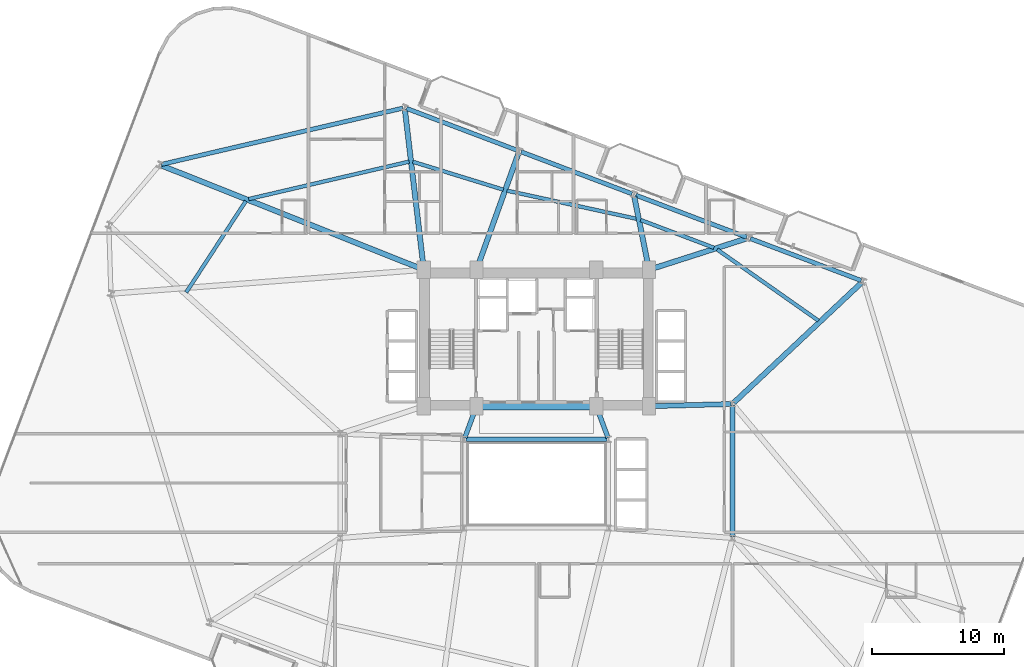
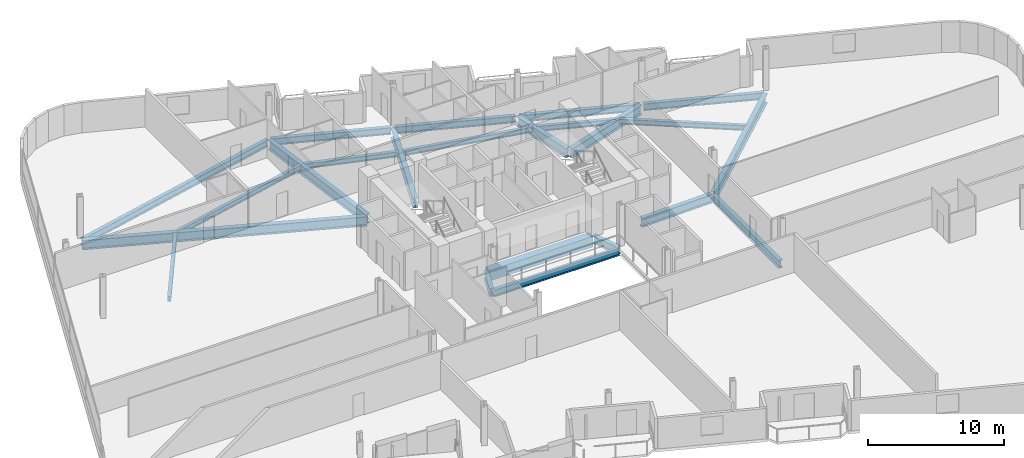
# One storey, part 9 of 25: 23 beams.
"""IFC4 building model written with IfcOpenShell, lengths in metres."""

from ifc_helpers import new_model, si_unit, direction, frame, origin, origin_2d, place, context, subcontext, project, spatial, rectangle, i_section, extrude, material, material_profile, profile_set, type_object, element, save


model = new_model("IFC4")

# Units and contexts
model_context = context("Model", 3, precision=1e-05, world=origin(), true_north=direction((0.0, 1.0)))
body_context = subcontext(model_context, "Body", "Model", "MODEL_VIEW")
ifc_project = project(units=[si_unit("LENGTHUNIT", "METRE"), si_unit("AREAUNIT", "SQUARE_METRE"), si_unit("VOLUMEUNIT", "CUBIC_METRE"), si_unit("PLANEANGLEUNIT", "RADIAN"), si_unit("MASSUNIT", "GRAM", prefix="KILO")], contexts=[model_context])

# Site, building, storey
site_placement = place(None, origin())
site = spatial("IfcSite", under=ifc_project, at=site_placement, CompositionType="ELEMENT")
building_placement = place(site_placement, origin())
building = spatial("IfcBuilding", under=site, at=building_placement, Name="Varnelok Gate Tower", CompositionType="ELEMENT")
storey_placement = place(building_placement, frame((0.0, 0.0, 105.800048828125)))
storey = spatial("IfcBuildingStorey", under=building, at=storey_placement, Name="L26", CompositionType="ELEMENT", Elevation=105.800048828125)

# Beams
ifc_material_1 = material(Name="Structural Steel ASTM A992 Grade 50", Category="steel")
ifc_material_profile_1 = material_profile(ifc_material_1, i_section(OverallWidth=0.280029296875, OverallDepth=0.462890625, WebThickness=0.0107421875, FlangeThickness=0.017333984375, FilletRadius=0.014892578125, at=origin_2d()), Name="W18X76")
ifc_profile_set_1 = profile_set([ifc_material_profile_1], Name="Structural Steel ASTM A992 Grade 50")
beam_type_1 = type_object("IfcBeamType", Name="BM-JST-W18X76", PredefinedType="JOIST", material=ifc_profile_set_1)
beam_1_placement = place(storey_placement, frame((60.490966796875, 35.207275390625, -0.4814453125), z_axis=(-0.818022629428, 0.575186037507, 0.0), x_axis=(-0.575186037507, -0.818022629428, 0.0)))
element("IfcBeam", 1, at=beam_1_placement, inside=storey, type_object=beam_type_1, Name="L26 Sector Floor Joist 7", PredefinedType="JOIST", context=body_context, shape_type="SweptSolid", body=[
    extrude(i_section(OverallWidth=0.280029296875, OverallDepth=0.462890625, WebThickness=0.0107421875, FlangeThickness=0.017333984375, FilletRadius=0.014892578125, at=origin_2d()), origin(), (0.0, 0.0, 1.0), 9.346923828125),
])
beam_2_placement = place(storey_placement, frame((52.599609375, 40.71337890625, -0.4814453125), z_axis=(-0.93521906908, 0.354069615795, 0.0), x_axis=(-0.354069615795, -0.93521906908, 0.0)))
element("IfcBeam", 2, at=beam_2_placement, inside=storey, type_object=beam_type_1, Name="L26 Sector Floor Joist 8", PredefinedType="JOIST", context=body_context, shape_type="SweptSolid", body=[
    extrude(i_section(OverallWidth=0.280029296875, OverallDepth=0.462890625, WebThickness=0.0107421875, FlangeThickness=0.017333984375, FilletRadius=0.014892578125, at=origin_2d()), origin(), (0.0, 0.0, 1.0), 5.91748046875),
])
beam_3_placement = place(storey_placement, frame((46.797607421875, 42.887939453125, -0.4814453125), z_axis=(-0.977172636002, 0.212446792044, 0.0), x_axis=(-0.212446792044, -0.977172636002, 0.0)))
element("IfcBeam", 3, at=beam_3_placement, inside=storey, type_object=beam_type_1, Name="L26 Sector Floor Joist 9", PredefinedType="JOIST", context=body_context, shape_type="SweptSolid", body=[
    extrude(i_section(OverallWidth=0.280029296875, OverallDepth=0.462890625, WebThickness=0.0107421875, FlangeThickness=0.017333984375, FilletRadius=0.014892578125, at=origin_2d()), origin(), (0.0, 0.0, 1.0), 10.048583984375),
])
beam_4_placement = place(storey_placement, frame((36.7080078125, 45.09375, -0.4814453125), z_axis=(-0.955517656655, 0.294933904156, 0.0), x_axis=(-0.294933904156, -0.955517656655, 0.0)))
element("IfcBeam", 4, at=beam_4_placement, inside=storey, type_object=beam_type_1, Name="L26 Sector Floor Joist 10", PredefinedType="JOIST", context=body_context, shape_type="SweptSolid", body=[
    extrude(i_section(OverallWidth=0.280029296875, OverallDepth=0.462890625, WebThickness=0.0107421875, FlangeThickness=0.017333984375, FilletRadius=0.014892578125, at=origin_2d()), origin(), (0.0, 0.0, 1.0), 7.160400390625),
])
beam_5_placement = place(storey_placement, frame((29.595947265625, 47.215087890625, -0.4814453125), z_axis=(-0.973875066894, -0.227084464643, 0.0), x_axis=(0.227084464643, -0.973875066894, 0.0)))
element("IfcBeam", 5, at=beam_5_placement, inside=storey, type_object=beam_type_1, Name="L26 Sector Floor Joist 11", PredefinedType="JOIST", context=body_context, shape_type="SweptSolid", body=[
    extrude(i_section(OverallWidth=0.280029296875, OverallDepth=0.462890625, WebThickness=0.0107421875, FlangeThickness=0.017333984375, FilletRadius=0.014892578125, at=origin_2d()), origin(), (0.0, 0.0, 1.0), 12.442138671875),
])
beam_6_placement = place(storey_placement, frame((17.265869140625, 44.24072265625, -0.4814453125), z_axis=(-0.54656270418, -0.837418181316, 0.0), x_axis=(0.837418181316, -0.54656270418, 0.0)))
element("IfcBeam", 6, at=beam_6_placement, inside=storey, type_object=beam_type_1, Name="L26 Sector Floor Joist 12", PredefinedType="JOIST", context=body_context, shape_type="SweptSolid", body=[
    extrude(i_section(OverallWidth=0.280029296875, OverallDepth=0.462890625, WebThickness=0.0107421875, FlangeThickness=0.017333984375, FilletRadius=0.014892578125, at=origin_2d()), origin(), (0.0, 0.0, 1.0), 8.23095703125),
])
ifc_material_2 = material(Name="Concrete C60/75", Category="concrete")
ifc_material_profile_2 = material_profile(ifc_material_2, rectangle(XDim=0.60009765625, YDim=0.949951171875, at=origin_2d()), Name="RC950X600")
ifc_profile_set_2 = profile_set([ifc_material_profile_2], Name="Concrete C60/75")
beam_type_2 = type_object("IfcBeamType", Name="BM-LNT-RC950", PredefinedType="LINTEL", material=ifc_profile_set_2)
beam_7_placement = place(storey_placement, frame((34.800048828125, 28.75, -0.72509765625), z_axis=(1.0, 0.0, 0.0), x_axis=(0.0, 1.0, 0.0)))
element("IfcBeam", 7, at=beam_7_placement, inside=storey, type_object=beam_type_2, Name="L26 Core-Atrium Spine Beam 7", PredefinedType="LINTEL", context=body_context, shape_type="SweptSolid", body=[
    extrude(rectangle(XDim=0.60009765625, YDim=0.949951171875, at=origin_2d()), origin(), (0.0, 0.0, 1.0), 8.800048828125),
])
ifc_material_profile_3 = material_profile(ifc_material_1, i_section(OverallWidth=0.35498046875, OverallDepth=0.696044921875, WebThickness=0.015380859375, FlangeThickness=0.02490234375, FilletRadius=0.02001953125, at=origin_2d()), Name="W27X146")
ifc_profile_set_3 = profile_set([ifc_material_profile_3], Name="Structural Steel ASTM A992 Grade 50")
beam_type_3 = type_object("IfcBeamType", Name="BM-PRI-W27X146", PredefinedType="BEAM", material=ifc_profile_set_3)
for number, where, z_axis, x_axis, name in (
    (8, (33.791748046875, 26.362548828125, -0.59814453125), (0.348719329408, 0.937227202602, 0.0), (-0.937227202602, 0.348719329408, 0.0), "L26 Core-Atrium Spine Beam 12"),
    (9, (44.608154296875, 26.362548828125, -0.59814453125), (-0.348719329408, 0.937227202602, 0.0), (-0.937227202602, -0.348719329408, 0.0), "L26 Core-Atrium Spine Beam 13"),
):
    element("IfcBeam", number, at=place(storey_placement, frame(where, z_axis=z_axis, x_axis=x_axis)), inside=storey, type_object=beam_type_3, Name=name, PredefinedType="BEAM", context=body_context, shape_type="SweptSolid", body=[
        extrude(i_section(OverallWidth=0.35498046875, OverallDepth=0.696044921875, WebThickness=0.015380859375, FlangeThickness=0.02490234375, FilletRadius=0.02001953125, at=origin_2d()), origin(), (0.0, 0.0, 1.0), 2.42724609375),
    ])
beam_8_placement = place(storey_placement, frame((54.0, 18.919921875, -0.59814453125), z_axis=(0.0, 1.0, 0.0), x_axis=(-1.0, 0.0, 0.0)))
element("IfcBeam", 10, at=beam_8_placement, inside=storey, type_object=beam_type_3, Name="L26 Core-Atrium Spine Beam 20", PredefinedType="BEAM", context=body_context, shape_type="SweptSolid", body=[
    extrude(i_section(OverallWidth=0.35498046875, OverallDepth=0.696044921875, WebThickness=0.015380859375, FlangeThickness=0.02490234375, FilletRadius=0.02001953125, at=origin_2d()), origin(), (0.0, 0.0, 1.0), 9.880126953125),
])
ifc_material_profile_4 = material_profile(ifc_material_1, i_section(OverallWidth=0.381103515625, OverallDepth=0.77294921875, WebThickness=0.0166015625, FlangeThickness=0.027099609375, FilletRadius=0.02197265625, at=origin_2d()), Name="W30X173")
ifc_profile_set_4 = profile_set([ifc_material_profile_4], Name="Structural Steel ASTM A992 Grade 50")
beam_type_4 = type_object("IfcBeamType", Name="BM-PRI-W30X173", PredefinedType="BEAM", material=ifc_profile_set_4)
beam_9_placement = place(storey_placement, frame((47.820068359375, 28.753173828125, -0.636474609375), z_axis=(0.999635880609, 0.026983443053, 0.0), x_axis=(-0.026983443053, 0.999635880609, 0.0)))
element("IfcBeam", 11, at=beam_9_placement, inside=storey, type_object=beam_type_4, Name="L26 Core-Atrium Spine Beam 19", PredefinedType="BEAM", context=body_context, shape_type="SweptSolid", body=[
    extrude(i_section(OverallWidth=0.381103515625, OverallDepth=0.77294921875, WebThickness=0.0166015625, FlangeThickness=0.027099609375, FilletRadius=0.02197265625, at=origin_2d()), origin(), (0.0, 0.0, 1.0), 6.06201171875),
])
ifc_material_profile_5 = material_profile(ifc_material_1, i_section(OverallWidth=0.39892578125, OverallDepth=0.85498046875, WebThickness=0.018310546875, FlangeThickness=0.029296875, FilletRadius=0.02392578125, at=origin_2d()), Name="W33X201")
ifc_profile_set_5 = profile_set([ifc_material_profile_5], Name="Structural Steel ASTM A992 Grade 50")
beam_type_5 = type_object("IfcBeamType", Name="BM-PRI-W33X201", PredefinedType="BEAM", material=ifc_profile_set_5)
beam_10_placement = place(storey_placement, frame((54.109375, 29.022705078125, -0.677490234375), z_axis=(0.728763782129, 0.684765178624, 0.0), x_axis=(-0.684765178624, 0.728763782129, 0.0)))
element("IfcBeam", 12, at=beam_10_placement, inside=storey, type_object=beam_type_5, Name="L26 Radial Floor Girder 9", PredefinedType="BEAM", context=body_context, shape_type="SweptSolid", body=[
    extrude(i_section(OverallWidth=0.39892578125, OverallDepth=0.85498046875, WebThickness=0.018310546875, FlangeThickness=0.029296875, FilletRadius=0.02392578125, at=origin_2d()), origin(), (0.0, 0.0, 1.0), 13.228515625),
])
beam_11_placement = place(storey_placement, frame((47.8427734375, 39.095703125, -0.677490234375), z_axis=(0.952189173648, 0.305509046656, 0.0), x_axis=(-0.305509046656, 0.952189173648, 0.0)))
element("IfcBeam", 13, at=beam_11_placement, inside=storey, type_object=beam_type_5, Name="L26 Radial Floor Girder 10", PredefinedType="BEAM", context=body_context, shape_type="SweptSolid", body=[
    extrude(i_section(OverallWidth=0.39892578125, OverallDepth=0.85498046875, WebThickness=0.018310546875, FlangeThickness=0.029296875, FilletRadius=0.02392578125, at=origin_2d()), origin(), (0.0, 0.0, 1.0), 7.585205078125),
])
beam_12_placement = place(storey_placement, frame((47.67041015625, 39.197021484375, -0.677490234375), z_axis=(-0.19708105208, 0.980387198463, 0.0), x_axis=(-0.980387198463, -0.19708105208, 0.0)))
element("IfcBeam", 14, at=beam_12_placement, inside=storey, type_object=beam_type_5, Name="L26 Radial Floor Girder 11", PredefinedType="BEAM", context=body_context, shape_type="SweptSolid", body=[
    extrude(i_section(OverallWidth=0.39892578125, OverallDepth=0.85498046875, WebThickness=0.018310546875, FlangeThickness=0.029296875, FilletRadius=0.02392578125, at=origin_2d()), origin(), (0.0, 0.0, 1.0), 5.497802734375),
])
beam_13_placement = place(storey_placement, frame((34.730712890625, 39.191162109375, -0.677490234375), z_axis=(0.338850703631, 0.940840156801, 0.0), x_axis=(-0.940840156801, 0.338850703631, 0.0)))
element("IfcBeam", 15, at=beam_13_placement, inside=storey, type_object=beam_type_5, Name="L26 Radial Floor Girder 12", PredefinedType="BEAM", context=body_context, shape_type="SweptSolid", body=[
    extrude(i_section(OverallWidth=0.39892578125, OverallDepth=0.85498046875, WebThickness=0.018310546875, FlangeThickness=0.029296875, FilletRadius=0.02392578125, at=origin_2d()), origin(), (0.0, 0.0, 1.0), 9.222412109375),
])
beam_14_placement = place(storey_placement, frame((30.682373046875, 39.198974609375, -0.677490234375), z_axis=(-0.117226632165, 0.993105189147, 0.0), x_axis=(-0.993105189147, -0.117226632165, 0.0)))
element("IfcBeam", 16, at=beam_14_placement, inside=storey, type_object=beam_type_5, Name="L26 Radial Floor Girder 13", PredefinedType="BEAM", context=body_context, shape_type="SweptSolid", body=[
    extrude(i_section(OverallWidth=0.39892578125, OverallDepth=0.85498046875, WebThickness=0.018310546875, FlangeThickness=0.029296875, FilletRadius=0.02392578125, at=origin_2d()), origin(), (0.0, 0.0, 1.0), 12.018798828125),
])
beam_15_placement = place(storey_placement, frame((30.560546875, 39.10546875, -0.677490234375), z_axis=(-0.929316441243, 0.369284378271, 0.0), x_axis=(-0.369284378271, -0.929316441243, 0.0)))
element("IfcBeam", 17, at=beam_15_placement, inside=storey, type_object=beam_type_5, Name="L26 Radial Floor Girder 14", PredefinedType="BEAM", context=body_context, shape_type="SweptSolid", body=[
    extrude(i_section(OverallWidth=0.39892578125, OverallDepth=0.85498046875, WebThickness=0.018310546875, FlangeThickness=0.029296875, FilletRadius=0.02392578125, at=origin_2d()), origin(), (0.0, 0.0, 1.0), 21.153076171875),
])
ifc_material_profile_6 = material_profile(ifc_material_1, i_section(OverallWidth=0.323974609375, OverallDepth=0.611083984375, WebThickness=0.0126953125, FlangeThickness=0.01904296875, FilletRadius=0.01806640625, at=origin_2d()), Name="W24X104")
ifc_profile_set_6 = profile_set([ifc_material_profile_6], Name="Structural Steel ASTM A992 Grade 50")
beam_type_6 = type_object("IfcBeamType", Name="BM-SPN-W24X104", PredefinedType="SPANDREL", material=ifc_profile_set_6)
beam_16_placement = place(storey_placement, frame((33.8701171875, 26.25, -0.5556640625), z_axis=(1.0, 0.0, 0.0), x_axis=(0.0, 1.0, 0.0)))
element("IfcBeam", 18, at=beam_16_placement, inside=storey, type_object=beam_type_6, Name="L26 Core-Atrium Spine Beam 9", PredefinedType="SPANDREL", context=body_context, shape_type="SweptSolid", body=[
    extrude(i_section(OverallWidth=0.323974609375, OverallDepth=0.611083984375, WebThickness=0.0126953125, FlangeThickness=0.01904296875, FilletRadius=0.01806640625, at=origin_2d()), origin(), (0.0, 0.0, 1.0), 10.659912109375),
])
beam_17_placement = place(storey_placement, frame((63.71875, 38.23681640625, -0.5556640625), z_axis=(-0.935220356141, 0.354066216208, 0.0), x_axis=(-0.354066216208, -0.935220356141, 0.0)))
element("IfcBeam", 19, at=beam_17_placement, inside=storey, type_object=beam_type_6, Name="L26 Perimeter Spandrel Beam 9", PredefinedType="SPANDREL", context=body_context, shape_type="SweptSolid", body=[
    extrude(i_section(OverallWidth=0.323974609375, OverallDepth=0.611083984375, WebThickness=0.0126953125, FlangeThickness=0.01904296875, FilletRadius=0.01806640625, at=origin_2d()), origin(), (0.0, 0.0, 1.0), 8.9501953125),
])
for number, where, z_axis, x_axis, name in (
    (20, (55.06787109375, 41.511962890625, -0.5556640625), (-0.935216936382, 0.354075248928, 0.0), (-0.354075248928, -0.935216936382, 0.0), "L26 Perimeter Spandrel Beam 10"),
    (21, (46.4169921875, 44.787109375, -0.5556640625), (-0.935225969099, 0.354051389947, 0.0), (-0.354051389947, -0.935225969099, 0.0), "L26 Perimeter Spandrel Beam 11"),
):
    element("IfcBeam", number, at=place(storey_placement, frame(where, z_axis=z_axis, x_axis=x_axis)), inside=storey, type_object=beam_type_6, Name=name, PredefinedType="SPANDREL", context=body_context, shape_type="SweptSolid", body=[
        extrude(i_section(OverallWidth=0.323974609375, OverallDepth=0.611083984375, WebThickness=0.0126953125, FlangeThickness=0.01904296875, FilletRadius=0.01806640625, at=origin_2d()), origin(), (0.0, 0.0, 1.0), 8.949951171875),
    ])
beam_18_placement = place(storey_placement, frame((37.766357421875, 48.06201171875, -0.5556640625), z_axis=(-0.935220356141, 0.354066216208, 0.0), x_axis=(-0.354066216208, -0.935220356141, 0.0)))
element("IfcBeam", 22, at=beam_18_placement, inside=storey, type_object=beam_type_6, Name="L26 Perimeter Spandrel Beam 12", PredefinedType="SPANDREL", context=body_context, shape_type="SweptSolid", body=[
    extrude(i_section(OverallWidth=0.323974609375, OverallDepth=0.611083984375, WebThickness=0.0126953125, FlangeThickness=0.01904296875, FilletRadius=0.01806640625, at=origin_2d()), origin(), (0.0, 0.0, 1.0), 8.9501953125),
])
beam_19_placement = place(storey_placement, frame((29.109619140625, 51.25, -0.5556640625), z_axis=(-0.973877429001, -0.227074334266, 0.0), x_axis=(0.227074334266, -0.973877429001, 0.0)))
element("IfcBeam", 23, at=beam_19_placement, inside=storey, type_object=beam_type_6, Name="L26 Perimeter Spandrel Beam 13", PredefinedType="SPANDREL", context=body_context, shape_type="SweptSolid", body=[
    extrude(i_section(OverallWidth=0.323974609375, OverallDepth=0.611083984375, WebThickness=0.0126953125, FlangeThickness=0.01904296875, FilletRadius=0.01806640625, at=origin_2d()), origin(), (0.0, 0.0, 1.0), 18.6884765625),
])

save(model, "model.ifc")
